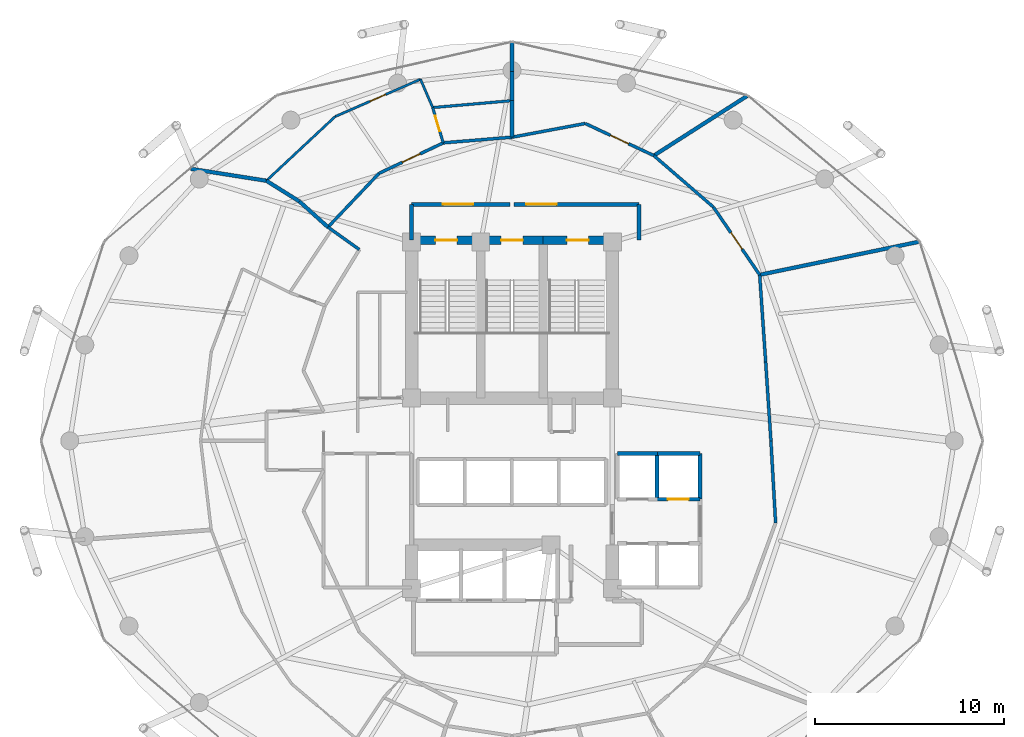
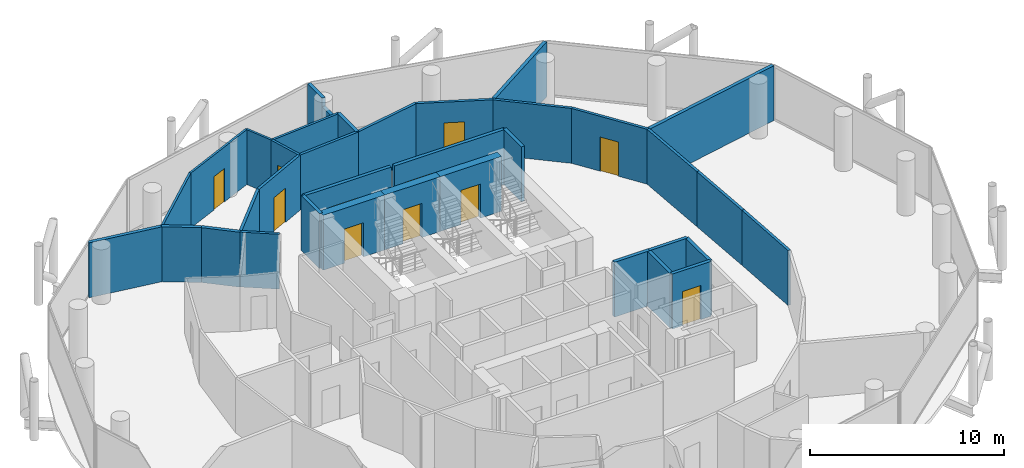
# One storey, part 24 of 26: 36 walls, 11 doors, 11 openings.
"""IFC4 building model written with IfcOpenShell, lengths in metres."""

from ifc_helpers import new_model, si_unit, direction, frame, frame_2d, origin, place, context, subcontext, project, spatial, rectangle, extrude, material, layer, layer_set, type_object, element, fill, save


model = new_model("IFC4")

# Units and contexts
model_context = context("Model", 3, precision=1e-05, world=origin(), true_north=direction((0.0, 1.0)))
body_context = subcontext(model_context, "Body", "Model", "MODEL_VIEW")
ifc_project = project(units=[si_unit("LENGTHUNIT", "METRE"), si_unit("AREAUNIT", "SQUARE_METRE"), si_unit("VOLUMEUNIT", "CUBIC_METRE"), si_unit("PLANEANGLEUNIT", "RADIAN"), si_unit("MASSUNIT", "GRAM", prefix="KILO")], contexts=[model_context])

# Site, building, storey
site_placement = place(None, origin())
site = spatial("IfcSite", under=ifc_project, at=site_placement, CompositionType="ELEMENT")
building_placement = place(site_placement, origin())
building = spatial("IfcBuilding", under=site, at=building_placement, Name="Nuhasar Tower", CompositionType="ELEMENT")
storey_placement = place(building_placement, frame((0.0, 0.0, 144.14990234375)))
storey = spatial("IfcBuildingStorey", under=building, at=storey_placement, Name="L34", CompositionType="ELEMENT", Elevation=144.14990234375)

# Wall, opening, door
ifc_material_1 = material(Name="Concrete C50/60", Category="concrete")
ifc_layer_1 = layer(ifc_material_1, 0.449951171875)
ifc_layer_set_1 = layer_set([ifc_layer_1], Name="Concrete C50/60")
wall_type_1 = type_object("IfcWallType", Name="WL-CORE-450", PredefinedType="SHEAR", material=ifc_layer_set_1)
wall_1_placement = place(storey_placement, frame((37.35009765625, 37.39990234375, 0.0), z_axis=(0.0, 0.0, 1.0), x_axis=(-1.0, 0.0, 0.0)))
wall_1 = element("IfcWall", 1, at=wall_1_placement, inside=storey, type_object=wall_type_1, Name="L34 Stairwell Shear Wall ST01-N", PredefinedType="SHEAR", context=body_context, shape_type="SweptSolid", body=[
    extrude(rectangle(XDim=3.650146484375, YDim=0.449951171875, at=frame_2d((1.8251953125, 0.0))), origin(), (0.0, 0.0, 1.0), 3.4501953125),
])
opening_1_placement = place(wall_1_placement, frame((1.25, 0.0, 0.0)))
opening_1 = element("IfcOpeningElement", 2, at=opening_1_placement, cuts=wall_1, Name="Opening DS-01", PredefinedType="OPENING", context=body_context, shape_type="SweptSolid", body=[
    extrude(rectangle(XDim=1.14990234375, YDim=2.14990234375, at=frame_2d((0.574951171875, 1.074951171875))), frame((0.0, 0.23486328125, 0.0), z_axis=(0.0, -1.0, 0.0), x_axis=(1.0, 0.0, 0.0)), (0.0, 0.0, 1.0), 0.469970703125),
])
ifc_material_2 = material(Name="Steel S355", Category="steel")
door_type_1 = type_object("IfcDoorType", Name="DR-STAIR-FD120-1150", OperationType="NOTDEFINED", PredefinedType="DOOR", material=ifc_material_2)
door_1_placement = place(opening_1_placement, origin())
door_1 = element("IfcDoor", 3, at=door_1_placement, inside=storey, type_object=door_type_1, Name="L34 Exit Stair ST-01 Door", OperationType="SINGLE_SWING_RIGHT", OverallHeight=2.14990234375, OverallWidth=1.14990234375, PredefinedType="DOOR", context=body_context, shape_type="SweptSolid", body=[
    extrude(rectangle(XDim=1.14990234375, YDim=2.14990234375, at=frame_2d((0.574951171875, 1.074951171875))), frame((0.0, 0.02490234375, 0.0), z_axis=(0.0, -1.0, 0.0), x_axis=(1.0, 0.0, 0.0)), (0.0, 0.0, 1.0), 0.050048828125),
])
fill(opening_1, door_1)

wall_2_placement = place(storey_placement, frame((40.64990234375, 37.39990234375, 0.0), z_axis=(0.0, 0.0, 1.0), x_axis=(-1.0, 0.0, 0.0)))
wall_2 = element("IfcWall", 4, at=wall_2_placement, inside=storey, type_object=wall_type_1, Name="L34 Stairwell Shear Wall ST03-N", PredefinedType="SHEAR", context=body_context, shape_type="SweptSolid", body=[
    extrude(rectangle(XDim=3.2998046875, YDim=0.449951171875, at=frame_2d((1.64990234375, 0.0))), origin(), (0.0, 0.0, 1.0), 3.4501953125),
])
opening_2_placement = place(wall_2_placement, frame((1.074951171875, 0.0, 0.0)))
opening_2 = element("IfcOpeningElement", 5, at=opening_2_placement, cuts=wall_2, Name="Opening DS-01", PredefinedType="OPENING", context=body_context, shape_type="SweptSolid", body=[
    extrude(rectangle(XDim=1.14990234375, YDim=2.14990234375, at=frame_2d((0.574951171875, 1.074951171875))), frame((0.0, 0.23486328125, 0.0), z_axis=(0.0, -1.0, 0.0), x_axis=(1.0, 0.0, 0.0)), (0.0, 0.0, 1.0), 0.469970703125),
])
door_2_placement = place(opening_2_placement, origin())
door_2 = element("IfcDoor", 6, at=door_2_placement, inside=storey, type_object=door_type_1, Name="L34 Exit Stair ST-03 Door", OperationType="SINGLE_SWING_RIGHT", OverallHeight=2.14990234375, OverallWidth=1.14990234375, PredefinedType="DOOR", context=body_context, shape_type="SweptSolid", body=[
    extrude(rectangle(XDim=1.14990234375, YDim=2.14990234375, at=frame_2d((0.574951171875, 1.074951171875))), frame((0.0, 0.02490234375, 0.0), z_axis=(0.0, -1.0, 0.0), x_axis=(1.0, 0.0, 0.0)), (0.0, 0.0, 1.0), 0.050048828125),
])
fill(opening_2, door_2)

wall_3_placement = place(storey_placement, frame((44.300048828125, 37.39990234375, 0.0), z_axis=(0.0, 0.0, 1.0), x_axis=(-1.0, 0.0, 0.0)))
wall_3 = element("IfcWall", 7, at=wall_3_placement, inside=storey, type_object=wall_type_1, Name="L34 Stairwell Shear Wall ST02-N", PredefinedType="SHEAR", context=body_context, shape_type="SweptSolid", body=[
    extrude(rectangle(XDim=3.650146484375, YDim=0.449951171875, at=frame_2d((1.8251953125, 0.0))), origin(), (0.0, 0.0, 1.0), 3.4501953125),
])
opening_3_placement = place(wall_3_placement, frame((1.25, 0.0, 0.0)))
opening_3 = element("IfcOpeningElement", 8, at=opening_3_placement, cuts=wall_3, Name="Opening DS-01", PredefinedType="OPENING", context=body_context, shape_type="SweptSolid", body=[
    extrude(rectangle(XDim=1.14990234375, YDim=2.14990234375, at=frame_2d((0.574951171875, 1.074951171875))), frame((0.0, 0.23486328125, 0.0), z_axis=(0.0, -1.0, 0.0), x_axis=(1.0, 0.0, 0.0)), (0.0, 0.0, 1.0), 0.469970703125),
])
door_3_placement = place(opening_3_placement, origin())
door_3 = element("IfcDoor", 9, at=door_3_placement, inside=storey, type_object=door_type_1, Name="L34 Exit Stair ST-02 Door", OperationType="SINGLE_SWING_LEFT", OverallHeight=2.14990234375, OverallWidth=1.14990234375, PredefinedType="DOOR", context=body_context, shape_type="SweptSolid", body=[
    extrude(rectangle(XDim=1.14990234375, YDim=2.14990234375, at=frame_2d((0.574951171875, 1.074951171875))), frame((0.0, 0.02490234375, 0.0), z_axis=(0.0, -1.0, 0.0), x_axis=(1.0, 0.0, 0.0)), (0.0, 0.0, 1.0), 0.050048828125),
])
fill(opening_3, door_3)

# Walls
ifc_material_3 = material(Name="Gypsum Board", Category="gypsum")
ifc_layer_2 = layer(ifc_material_3, 0.159912109375)
ifc_layer_set_2 = layer_set([ifc_layer_2], Name="Gypsum Board")
wall_type_2 = type_object("IfcWallType", Name="WL-CORR-160", PredefinedType="PARTITIONING", material=ifc_layer_set_2)
wall_4_placement = place(storey_placement, frame((52.91796875, 22.470947265625, 0.0), z_axis=(0.0, 0.0, 1.0), x_axis=(-0.057203717973, 0.998362526666, 0.0)))
element("IfcWall", 10, at=wall_4_placement, inside=storey, type_object=wall_type_2, Name="L34 Interior Partition CORR-46", PredefinedType="PARTITIONING", context=body_context, shape_type="SweptSolid", body=[
    extrude(rectangle(XDim=4.336181640625, YDim=0.159912109375, at=frame_2d((2.16796875, 0.0))), origin(), (0.0, 0.0, 1.0), 3.4501953125),
])
wall_5_placement = place(storey_placement, frame((52.669921875, 26.800048828125, 0.0), z_axis=(0.0, 0.0, 1.0), x_axis=(-0.066309434359, 0.997799107494, 0.0)))
element("IfcWall", 11, at=wall_5_placement, inside=storey, type_object=wall_type_2, Name="L34 Interior Partition CORR-00", PredefinedType="PARTITIONING", context=body_context, shape_type="SweptSolid", body=[
    extrude(rectangle(XDim=4.17529296875, YDim=0.159912109375, at=frame_2d((2.087646484375, 0.0))), origin(), (0.0, 0.0, 1.0), 3.4501953125),
])
wall_6_placement = place(storey_placement, frame((52.39306640625, 30.966064453125, 0.0), z_axis=(0.0, 0.0, 1.0), x_axis=(-0.068811181555, 0.997629701489, 0.0)))
element("IfcWall", 12, at=wall_6_placement, inside=storey, type_object=wall_type_2, Name="L34 Interior Partition CORR-02", PredefinedType="PARTITIONING", context=body_context, shape_type="SweptSolid", body=[
    extrude(rectangle(XDim=4.60888671875, YDim=0.159912109375, at=frame_2d((2.304443359375, 0.0))), origin(), (0.0, 0.0, 1.0), 3.4501953125),
])

# Wall, opening, door
wall_7_placement = place(storey_placement, frame((49.631103515625, 39.14306640625, 0.0), z_axis=(0.0, 0.0, 1.0), x_axis=(0.564049708202, -0.825740835055, 0.0)))
wall_7 = element("IfcWall", 13, at=wall_7_placement, inside=storey, type_object=wall_type_2, Name="L34 Interior Partition CORR-04", PredefinedType="PARTITIONING", context=body_context, shape_type="SweptSolid", body=[
    extrude(rectangle(XDim=4.33447265625, YDim=0.159912109375, at=frame_2d((2.167236328125, 0.0))), origin(), (0.0, 0.0, 1.0), 3.4501953125),
])
opening_4_placement = place(wall_7_placement, frame((1.64208984375, 0.0, 0.0)))
opening_4 = element("IfcOpeningElement", 14, at=opening_4_placement, cuts=wall_7, Name="Opening DU-01", PredefinedType="OPENING", context=body_context, shape_type="SweptSolid", body=[
    extrude(rectangle(XDim=1.050048828125, YDim=2.14990234375, at=frame_2d((0.52490234375, 1.074951171875))), frame((0.0, 0.08984375, 0.0), z_axis=(0.0, -1.0, 0.0), x_axis=(1.0, 0.0, 0.0)), (0.0, 0.0, 1.0), 0.179931640625),
])
ifc_material_4 = material(Name="Timber Oak", Category="wood")
door_type_2 = type_object("IfcDoorType", Name="DR-SUITE-FD60-1050", OperationType="NOTDEFINED", PredefinedType="DOOR", material=ifc_material_4)
door_4_placement = place(opening_4_placement, origin())
door_4 = element("IfcDoor", 15, at=door_4_placement, inside=storey, type_object=door_type_2, Name="L34 Club Buffet Kitchen Entrance Door", OperationType="SINGLE_SWING_RIGHT", OverallHeight=2.14990234375, OverallWidth=1.050048828125, PredefinedType="DOOR", context=body_context, shape_type="SweptSolid", body=[
    extrude(rectangle(XDim=1.050048828125, YDim=2.14990234375, at=frame_2d((0.52490234375, 1.074951171875))), frame((0.0, 0.02490234375, 0.0), z_axis=(0.0, -1.0, 0.0), x_axis=(1.0, 0.0, 0.0)), (0.0, 0.0, 1.0), 0.050048828125),
])
fill(opening_4, door_4)

# Wall
wall_8_placement = place(storey_placement, frame((49.631103515625, 39.14306640625, 0.0), z_axis=(0.0, 0.0, 1.0), x_axis=(-0.756415827975, 0.65409104503, 0.0)))
element("IfcWall", 16, at=wall_8_placement, inside=storey, type_object=wall_type_2, Name="L34 Interior Partition CORR-06", PredefinedType="PARTITIONING", context=body_context, shape_type="SweptSolid", body=[
    extrude(rectangle(XDim=4.15380859375, YDim=0.159912109375, at=frame_2d((2.076904296875, 0.0))), origin(), (0.0, 0.0, 1.0), 3.4501953125),
])

# Wall, opening, door
wall_9_placement = place(storey_placement, frame((42.866943359375, 43.553955078125, 0.0), z_axis=(0.0, 0.0, 1.0), x_axis=(0.905842799217, -0.423614002492, 0.0)))
wall_9 = element("IfcWall", 17, at=wall_9_placement, inside=storey, type_object=wall_type_2, Name="L34 Interior Partition CORR-08", PredefinedType="PARTITIONING", context=body_context, shape_type="SweptSolid", body=[
    extrude(rectangle(XDim=3.99853515625, YDim=0.159912109375, at=frame_2d((1.999267578125, 0.0))), origin(), (0.0, 0.0, 1.0), 3.4501953125),
])
opening_5_placement = place(wall_9_placement, frame((1.47412109375, 0.0, 0.0)))
opening_5 = element("IfcOpeningElement", 18, at=opening_5_placement, cuts=wall_9, Name="Opening DU-01", PredefinedType="OPENING", context=body_context, shape_type="SweptSolid", body=[
    extrude(rectangle(XDim=1.050048828125, YDim=2.14990234375, at=frame_2d((0.52490234375, 1.074951171875))), frame((0.0, 0.08984375, 0.0), z_axis=(0.0, -1.0, 0.0), x_axis=(1.0, 0.0, 0.0)), (0.0, 0.0, 1.0), 0.179931640625),
])
door_5_placement = place(opening_5_placement, origin())
door_5 = element("IfcDoor", 19, at=door_5_placement, inside=storey, type_object=door_type_2, Name="L34 Club Meeting Room Entrance Door", OperationType="SINGLE_SWING_RIGHT", OverallHeight=2.14990234375, OverallWidth=1.050048828125, PredefinedType="DOOR", context=body_context, shape_type="SweptSolid", body=[
    extrude(rectangle(XDim=1.050048828125, YDim=2.14990234375, at=frame_2d((0.52490234375, 1.074951171875))), frame((0.0, 0.02490234375, 0.0), z_axis=(0.0, -1.0, 0.0), x_axis=(1.0, 0.0, 0.0)), (0.0, 0.0, 1.0), 0.050048828125),
])
fill(opening_5, door_5)

# Walls
wall_10_placement = place(storey_placement, frame((42.866943359375, 43.553955078125, 0.0), z_axis=(0.0, 0.0, 1.0), x_axis=(-0.982926239859, -0.184000019015, 0.0)))
element("IfcWall", 20, at=wall_10_placement, inside=storey, type_object=wall_type_2, Name="L34 Interior Partition CORR-10", PredefinedType="PARTITIONING", context=body_context, shape_type="SweptSolid", body=[
    extrude(rectangle(XDim=3.93408203125, YDim=0.159912109375, at=frame_2d((1.967041015625, 0.0))), origin(), (0.0, 0.0, 1.0), 3.4501953125),
])
wall_11_placement = place(storey_placement, frame((39.0, 42.830078125, 0.0), z_axis=(0.0, 0.0, 1.0), x_axis=(-0.996622986435, -0.082113475813, 0.0)))
element("IfcWall", 21, at=wall_11_placement, inside=storey, type_object=wall_type_2, Name="L34 Interior Partition CORR-12", PredefinedType="PARTITIONING", context=body_context, shape_type="SweptSolid", body=[
    extrude(rectangle(XDim=3.64208984375, YDim=0.159912109375, at=frame_2d((1.821044921875, 0.0))), origin(), (0.0, 0.0, 1.0), 3.4501953125),
])

# Wall, opening, door
wall_12_placement = place(storey_placement, frame((31.97802734375, 40.919921875, 0.0), z_axis=(0.0, 0.0, 1.0), x_axis=(0.903293881329, 0.429022335029, 0.0)))
wall_12 = element("IfcWall", 22, at=wall_12_placement, inside=storey, type_object=wall_type_2, Name="L34 Interior Partition CORR-14", PredefinedType="PARTITIONING", context=body_context, shape_type="SweptSolid", body=[
    extrude(rectangle(XDim=3.755126953125, YDim=0.159912109375, at=frame_2d((1.87744140625, 0.0))), origin(), (0.0, 0.0, 1.0), 3.4501953125),
])
opening_6_placement = place(wall_12_placement, frame((1.35302734375, 0.0, 0.0)))
opening_6 = element("IfcOpeningElement", 23, at=opening_6_placement, cuts=wall_12, Name="Opening DU-01", PredefinedType="OPENING", context=body_context, shape_type="SweptSolid", body=[
    extrude(rectangle(XDim=1.050048828125, YDim=2.14990234375, at=frame_2d((0.52490234375, 1.074951171875))), frame((0.0, 0.08984375, 0.0), z_axis=(0.0, -1.0, 0.0), x_axis=(1.0, 0.0, 0.0)), (0.0, 0.0, 1.0), 0.179931640625),
])
door_6_placement = place(opening_6_placement, origin())
door_6 = element("IfcDoor", 24, at=door_6_placement, inside=storey, type_object=door_type_2, Name="L34 Marina Corner Suite 03 Entrance Door", OperationType="SINGLE_SWING_LEFT", OverallHeight=2.14990234375, OverallWidth=1.050048828125, PredefinedType="DOOR", context=body_context, shape_type="SweptSolid", body=[
    extrude(rectangle(XDim=1.050048828125, YDim=2.14990234375, at=frame_2d((0.52490234375, 1.074951171875))), frame((0.0, 0.02490234375, 0.0), z_axis=(0.0, -1.0, 0.0), x_axis=(1.0, 0.0, 0.0)), (0.0, 0.0, 1.0), 0.050048828125),
])
fill(opening_6, door_6)

# Walls
wall_13_placement = place(storey_placement, frame((31.97802734375, 40.919921875, 0.0), z_axis=(0.0, 0.0, 1.0), x_axis=(-0.688624853508, -0.725117791211, 0.0)))
element("IfcWall", 25, at=wall_13_placement, inside=storey, type_object=wall_type_2, Name="L34 Interior Partition CORR-16", PredefinedType="PARTITIONING", context=body_context, shape_type="SweptSolid", body=[
    extrude(rectangle(XDim=3.91357421875, YDim=0.159912109375, at=frame_2d((1.956787109375, 0.0))), origin(), (0.0, 0.0, 1.0), 3.4501953125),
])
wall_14_placement = place(storey_placement, frame((30.93896484375, 36.89697265625, 0.0), z_axis=(0.0, 0.0, 1.0), x_axis=(-0.813222809356, 0.581952457116, 0.0)))
element("IfcWall", 26, at=wall_14_placement, inside=storey, type_object=wall_type_2, Name="L34 Interior Partition HRAD-18-IN", PredefinedType="PARTITIONING", context=body_context, shape_type="SweptSolid", body=[
    extrude(rectangle(XDim=2.036376953125, YDim=0.159912109375, at=frame_2d((1.01806640625, 0.0))), origin(), (0.0, 0.0, 1.0), 3.4501953125),
])
ifc_material_5 = material(Name="Concrete C45/55", Category="concrete")
ifc_layer_3 = layer(ifc_material_5, 0.199951171875)
ifc_layer_set_3 = layer_set([ifc_layer_3], Name="Concrete C45/55")
wall_type_3 = type_object("IfcWallType", Name="WL-LOBBY-200", PredefinedType="SOLIDWALL", material=ifc_layer_set_3)
for number, where, z_axis, x_axis, name in (
    (27, (33.699951171875, 37.39990234375, 0.0), (0.0, 0.0, 1.0), (0.0, 1.0, 0.0), "L34 Interior Partition NSL-W"),
    (28, (45.699951171875, 37.39990234375, 0.0), (0.0, 0.0, 1.0), (0.0, 1.0, 0.0), "L34 Interior Partition NSL-E"),
):
    element("IfcWall", number, at=place(storey_placement, frame(where, z_axis=z_axis, x_axis=x_axis)), inside=storey, type_object=wall_type_3, Name=name, PredefinedType="SOLIDWALL", context=body_context, shape_type="SweptSolid", body=[
        extrude(rectangle(XDim=1.880126953125, YDim=0.199951171875, at=frame_2d((0.93994140625, 0.0))), origin(), (0.0, 0.0, 1.0), 3.4501953125),
    ])

# Wall, opening, door
wall_15_placement = place(storey_placement, frame((38.89990234375, 39.280029296875, 0.0), z_axis=(0.0, 0.0, 1.0), x_axis=(-1.0, 0.0, 0.0)))
wall_15 = element("IfcWall", 29, at=wall_15_placement, inside=storey, type_object=wall_type_3, Name="L34 Interior Partition NSL-N1", PredefinedType="SOLIDWALL", context=body_context, shape_type="SweptSolid", body=[
    extrude(rectangle(XDim=5.199951171875, YDim=0.199951171875, at=frame_2d((2.60009765625, 0.0))), origin(), (0.0, 0.0, 1.0), 3.4501953125),
])
opening_7_placement = place(wall_15_placement, frame((1.949951171875, 0.0, 0.0)))
opening_7 = element("IfcOpeningElement", 30, at=opening_7_placement, cuts=wall_15, Name="Opening DC-01", PredefinedType="OPENING", context=body_context, shape_type="SweptSolid", body=[
    extrude(rectangle(XDim=1.60009765625, YDim=2.199951171875, at=frame_2d((0.800048828125, 1.10009765625))), frame((0.0, 0.10986328125, 0.0), z_axis=(0.0, -1.0, 0.0), x_axis=(1.0, 0.0, 0.0)), (0.0, 0.0, 1.0), 0.219970703125),
])
door_type_3 = type_object("IfcDoorType", Name="DR-CORR-FD60-1600", OperationType="DOUBLE_DOOR_SINGLE_SWING", PredefinedType="DOOR", material=ifc_material_2)
door_7_placement = place(opening_7_placement, origin())
door_7 = element("IfcDoor", 31, at=door_7_placement, inside=storey, type_object=door_type_3, Name="L34 North Stair Lobby West Door", OperationType="DOUBLE_DOOR_SINGLE_SWING", OverallHeight=2.199951171875, OverallWidth=1.60009765625, PredefinedType="DOOR", context=body_context, shape_type="SweptSolid", body=[
    extrude(rectangle(XDim=1.60009765625, YDim=2.199951171875, at=frame_2d((0.800048828125, 1.10009765625))), frame((0.0, 0.02490234375, 0.0), z_axis=(0.0, -1.0, 0.0), x_axis=(1.0, 0.0, 0.0)), (0.0, 0.0, 1.0), 0.050048828125),
])
fill(opening_7, door_7)

wall_16_placement = place(storey_placement, frame((45.699951171875, 39.280029296875, 0.0), z_axis=(0.0, 0.0, 1.0), x_axis=(-1.0, 0.0, 0.0)))
wall_16 = element("IfcWall", 32, at=wall_16_placement, inside=storey, type_object=wall_type_3, Name="L34 Interior Partition NSL-N2", PredefinedType="SOLIDWALL", context=body_context, shape_type="SweptSolid", body=[
    extrude(rectangle(XDim=6.599853515625, YDim=0.199951171875, at=frame_2d((3.2998046875, 0.0))), origin(), (0.0, 0.0, 1.0), 3.4501953125),
])
opening_8_placement = place(wall_16_placement, frame((4.35009765625, 0.0, 0.0)))
opening_8 = element("IfcOpeningElement", 33, at=opening_8_placement, cuts=wall_16, Name="Opening DC-01", PredefinedType="OPENING", context=body_context, shape_type="SweptSolid", body=[
    extrude(rectangle(XDim=1.60009765625, YDim=2.199951171875, at=frame_2d((0.800048828125, 1.10009765625))), frame((0.0, 0.10986328125, 0.0), z_axis=(0.0, -1.0, 0.0), x_axis=(1.0, 0.0, 0.0)), (0.0, 0.0, 1.0), 0.219970703125),
])
door_8_placement = place(opening_8_placement, origin())
door_8 = element("IfcDoor", 34, at=door_8_placement, inside=storey, type_object=door_type_3, Name="L34 North Stair Lobby East Door", OperationType="DOUBLE_DOOR_SINGLE_SWING", OverallHeight=2.199951171875, OverallWidth=1.60009765625, PredefinedType="DOOR", context=body_context, shape_type="SweptSolid", body=[
    extrude(rectangle(XDim=1.60009765625, YDim=2.199951171875, at=frame_2d((0.800048828125, 1.10009765625))), frame((0.0, 0.02490234375, 0.0), z_axis=(0.0, -1.0, 0.0), x_axis=(1.0, 0.0, 0.0)), (0.0, 0.0, 1.0), 0.050048828125),
])
fill(opening_8, door_8)

# Wall
ifc_layer_4 = layer(ifc_material_3, 0.125)
ifc_layer_set_4 = layer_set([ifc_layer_4], Name="Gypsum Board")
wall_type_4 = type_object("IfcWallType", Name="WL-PART-125", PredefinedType="PARTITIONING", material=ifc_layer_set_4)
wall_17_placement = place(storey_placement, frame((34.81298828125, 44.39404296875, 0.0), z_axis=(0.0, 0.0, 1.0), x_axis=(-0.395456593767, 0.918484666419, 0.0)))
element("IfcWall", 35, at=wall_17_placement, inside=storey, type_object=wall_type_4, Name="L34 Interior Partition HBS-06", PredefinedType="PARTITIONING", context=body_context, shape_type="SweptSolid", body=[
    extrude(rectangle(XDim=1.628662109375, YDim=0.125, at=frame_2d((0.814453125, 0.0))), origin(), (0.0, 0.0, 1.0), 3.4501953125),
])

# Wall, opening, door
wall_18_placement = place(storey_placement, frame((29.6650390625, 43.9208984375, 0.0), z_axis=(0.0, 0.0, 1.0), x_axis=(0.916266732184, 0.400568690105, 0.0)))
wall_18 = element("IfcWall", 36, at=wall_18_placement, inside=storey, type_object=wall_type_4, Name="L34 Interior Partition HSAL-06-14", PredefinedType="PARTITIONING", context=body_context, shape_type="SweptSolid", body=[
    extrude(rectangle(XDim=4.91552734375, YDim=0.125, at=frame_2d((2.457763671875, 0.0))), origin(), (0.0, 0.0, 1.0), 3.4501953125),
])
opening_9_placement = place(wall_18_placement, frame((2.008056640625, 0.0, 0.0)))
opening_9 = element("IfcOpeningElement", 37, at=opening_9_placement, cuts=wall_18, Name="Opening DR-01", PredefinedType="OPENING", context=body_context, shape_type="SweptSolid", body=[
    extrude(rectangle(XDim=0.89990234375, YDim=2.10009765625, at=frame_2d((0.449951171875, 1.050048828125))), frame((0.0, 0.072509765625, 0.0), z_axis=(0.0, -1.0, 0.0), x_axis=(1.0, 0.0, 0.0)), (0.0, 0.0, 1.0), 0.14501953125),
])
door_type_4 = type_object("IfcDoorType", Name="DR-ROOM-900", OperationType="NOTDEFINED", PredefinedType="DOOR", material=ifc_material_4)
door_9_placement = place(opening_9_placement, origin())
door_9 = element("IfcDoor", 38, at=door_9_placement, inside=storey, type_object=door_type_4, Name="L34 Marina Corner Suite 03 Bedroom Door", OperationType="SINGLE_SWING_LEFT", OverallHeight=2.10009765625, OverallWidth=0.89990234375, PredefinedType="DOOR", context=body_context, shape_type="SweptSolid", body=[
    extrude(rectangle(XDim=0.89990234375, YDim=2.10009765625, at=frame_2d((0.449951171875, 1.050048828125))), frame((0.0, 0.02490234375, 0.0), z_axis=(0.0, -1.0, 0.0), x_axis=(1.0, 0.0, 0.0)), (0.0, 0.0, 1.0), 0.050048828125),
])
fill(opening_9, door_9)

# Walls
wall_19_placement = place(storey_placement, frame((29.6650390625, 43.9208984375, 0.0), z_axis=(0.0, 0.0, 1.0), x_axis=(-0.731151660119, -0.682214958723, 0.0)))
element("IfcWall", 39, at=wall_19_placement, inside=storey, type_object=wall_type_4, Name="L34 Interior Partition HSAL-06-16", PredefinedType="PARTITIONING", context=body_context, shape_type="SweptSolid", body=[
    extrude(rectangle(XDim=4.968994140625, YDim=0.125, at=frame_2d((2.484375, 0.0))), origin(), (0.0, 0.0, 1.0), 3.4501953125),
])
ifc_layer_5 = layer(ifc_material_5, 0.199951171875)
ifc_layer_set_5 = layer_set([ifc_layer_5], Name="Concrete C45/55")
wall_type_5 = type_object("IfcWallType", Name="WL-SHAFT-200", PredefinedType="SOLIDWALL", material=ifc_layer_set_5)
wall_20_placement = place(storey_placement, frame((44.570068359375, 26.1298828125, 0.0), z_axis=(0.0, 0.0, 1.0), x_axis=(1.0, 0.0, 0.0)))
element("IfcWall", 40, at=wall_20_placement, inside=storey, type_object=wall_type_5, Name="L34 Interior Partition SHF-PL-M01-N", PredefinedType="SOLIDWALL", context=body_context, shape_type="SweptSolid", body=[
    extrude(rectangle(XDim=2.10986328125, YDim=0.199951171875, at=frame_2d((1.054931640625, 0.0))), origin(), (0.0, 0.0, 1.0), 3.4501953125),
])
wall_21_placement = place(storey_placement, frame((46.64990234375, 23.719970703125, 0.0), z_axis=(0.0, 0.0, 1.0), x_axis=(0.0, 1.0, 0.0)))
element("IfcWall", 41, at=wall_21_placement, inside=storey, type_object=wall_type_5, Name="L34 Interior Partition SHF-PL-M01-E", PredefinedType="SOLIDWALL", context=body_context, shape_type="SweptSolid", body=[
    extrude(rectangle(XDim=2.409912109375, YDim=0.199951171875, at=frame_2d((1.205078125, 0.0))), origin(), (0.0, 0.0, 1.0), 3.4501953125),
])

# Wall, opening, door
wall_22_placement = place(storey_placement, frame((46.6201171875, 23.719970703125, 0.0), z_axis=(0.0, 0.0, 1.0), x_axis=(1.0, 0.0, 0.0)))
wall_22 = element("IfcWall", 42, at=wall_22_placement, inside=storey, type_object=wall_type_5, Name="L34 Interior Partition SHF-PL-M02-S", PredefinedType="SOLIDWALL", context=body_context, shape_type="SweptSolid", body=[
    extrude(rectangle(XDim=2.309814453125, YDim=0.199951171875, at=frame_2d((1.15478515625, 0.0))), origin(), (0.0, 0.0, 1.0), 3.4501953125),
])
opening_10_placement = place(wall_22_placement, frame((0.60498046875, 0.0, 0.0)))
opening_10 = element("IfcOpeningElement", 43, at=opening_10_placement, cuts=wall_22, Name="Opening LD-M02", PredefinedType="OPENING", context=body_context, shape_type="SweptSolid", body=[
    extrude(rectangle(XDim=1.10009765625, YDim=2.14990234375, at=frame_2d((0.550048828125, 1.074951171875))), frame((0.0, 0.10986328125, 0.0), z_axis=(0.0, -1.0, 0.0), x_axis=(1.0, 0.0, 0.0)), (0.0, 0.0, 1.0), 0.219970703125),
])
ifc_material_6 = material(Name="Stainless Steel 316L", Category="steel")
door_type_5 = type_object("IfcDoorType", Name="LD-PAX-1100", OperationType="DOUBLE_DOOR_SLIDING", PredefinedType="DOOR", material=ifc_material_6)
door_10_placement = place(opening_10_placement, origin())
door_10 = element("IfcDoor", 44, at=door_10_placement, inside=storey, type_object=door_type_5, Name="L34 Lift Landing Door PL-M02", OperationType="DOUBLE_DOOR_SLIDING", OverallHeight=2.14990234375, OverallWidth=1.10009765625, PredefinedType="DOOR", context=body_context, shape_type="SweptSolid", body=[
    extrude(rectangle(XDim=1.10009765625, YDim=2.14990234375, at=frame_2d((0.550048828125, 1.074951171875))), frame((0.0, 0.02490234375, 0.0), z_axis=(0.0, -1.0, 0.0), x_axis=(1.0, 0.0, 0.0)), (0.0, 0.0, 1.0), 0.050048828125),
])
fill(opening_10, door_10)

# Walls
wall_23_placement = place(storey_placement, frame((46.6201171875, 26.1298828125, 0.0), z_axis=(0.0, 0.0, 1.0), x_axis=(1.0, 0.0, 0.0)))
element("IfcWall", 45, at=wall_23_placement, inside=storey, type_object=wall_type_5, Name="L34 Interior Partition SHF-PL-M02-N", PredefinedType="SOLIDWALL", context=body_context, shape_type="SweptSolid", body=[
    extrude(rectangle(XDim=2.309814453125, YDim=0.199951171875, at=frame_2d((1.15478515625, 0.0))), origin(), (0.0, 0.0, 1.0), 3.4501953125),
])
wall_24_placement = place(storey_placement, frame((48.929931640625, 23.719970703125, 0.0), z_axis=(0.0, 0.0, 1.0), x_axis=(0.0, 1.0, 0.0)))
element("IfcWall", 46, at=wall_24_placement, inside=storey, type_object=wall_type_5, Name="L34 Interior Partition SHF-PL-M02-E", PredefinedType="SOLIDWALL", context=body_context, shape_type="SweptSolid", body=[
    extrude(rectangle(XDim=2.409912109375, YDim=0.199951171875, at=frame_2d((1.205078125, 0.0))), origin(), (0.0, 0.0, 1.0), 3.4501953125),
])
ifc_material_7 = material(Name="Concrete C40/50 precast", Category="concrete")
ifc_layer_6 = layer(ifc_material_7, 0.199951171875)
ifc_layer_set_6 = layer_set([ifc_layer_6], Name="Concrete C40/50 precast")
wall_type_6 = type_object("IfcWallType", Name="WL-UNIT-200", PredefinedType="PARTITIONING", material=ifc_layer_set_6)
wall_25_placement = place(storey_placement, frame((29.282958984375, 38.08203125, 0.0), z_axis=(0.0, 0.0, 1.0), x_axis=(-0.743001572908, 0.669289670215, 0.0)))
element("IfcWall", 47, at=wall_25_placement, inside=storey, type_object=wall_type_6, Name="L34 Interior Partition HRAD-18-OUT-S1", PredefinedType="PARTITIONING", context=body_context, shape_type="SweptSolid", body=[
    extrude(rectangle(XDim=2.03369140625, YDim=0.199951171875, at=frame_2d((1.016845703125, 0.0))), origin(), (0.0, 0.0, 1.0), 3.4501953125),
])
wall_26_placement = place(storey_placement, frame((27.77197265625, 39.443115234375, 0.0), z_axis=(0.0, 0.0, 1.0), x_axis=(-0.847911403155, 0.530137956007, 0.0)))
element("IfcWall", 48, at=wall_26_placement, inside=storey, type_object=wall_type_6, Name="L34 Interior Partition HRAD-18-OUT-S2", PredefinedType="PARTITIONING", context=body_context, shape_type="SweptSolid", body=[
    extrude(rectangle(XDim=2.052001953125, YDim=0.199951171875, at=frame_2d((1.02587890625, 0.0))), origin(), (0.0, 0.0, 1.0), 3.4501953125),
])
wall_27_placement = place(storey_placement, frame((26.031982421875, 40.531005859375, 0.0), z_axis=(0.0, 0.0, 1.0), x_axis=(-0.987792855768, 0.155773149462, 0.0)))
element("IfcWall", 49, at=wall_27_placement, inside=storey, type_object=wall_type_6, Name="L34 Interior Partition HRAD-18-OUT-S3", PredefinedType="PARTITIONING", context=body_context, shape_type="SweptSolid", body=[
    extrude(rectangle(XDim=4.037353515625, YDim=0.199951171875, at=frame_2d((2.0185546875, 0.0))), origin(), (0.0, 0.0, 1.0), 3.4501953125),
])
wall_28_placement = place(storey_placement, frame((52.075927734375, 35.56396484375, 0.0), z_axis=(0.0, 0.0, 1.0), x_axis=(0.979137140262, 0.203200542717, 0.0)))
element("IfcWall", 50, at=wall_28_placement, inside=storey, type_object=wall_type_6, Name="L34 Interior Partition HRAD-04", PredefinedType="PARTITIONING", context=body_context, shape_type="SweptSolid", body=[
    extrude(rectangle(XDim=8.6025390625, YDim=0.199951171875, at=frame_2d((4.30126953125, 0.0))), origin(), (0.0, 0.0, 1.0), 3.4501953125),
])
wall_29_placement = place(storey_placement, frame((46.489013671875, 41.860107421875, 0.0), z_axis=(0.0, 0.0, 1.0), x_axis=(0.842539863608, 0.538633992829, 0.0)))
element("IfcWall", 51, at=wall_29_placement, inside=storey, type_object=wall_type_6, Name="L34 Interior Partition HRAD-08", PredefinedType="PARTITIONING", context=body_context, shape_type="SweptSolid", body=[
    extrude(rectangle(XDim=5.84423828125, YDim=0.199951171875, at=frame_2d((2.922119140625, 0.0))), origin(), (0.0, 0.0, 1.0), 3.4501953125),
])
wall_30_placement = place(storey_placement, frame((39.0, 42.830078125, 0.0), z_axis=(0.0, 0.0, 1.0), x_axis=(0.0, 1.0, 0.0)))
element("IfcWall", 52, at=wall_30_placement, inside=storey, type_object=wall_type_6, Name="L34 Interior Partition HRAD-12-S1", PredefinedType="PARTITIONING", context=body_context, shape_type="SweptSolid", body=[
    extrude(rectangle(XDim=1.929931640625, YDim=0.199951171875, at=frame_2d((0.96484375, 0.0))), origin(), (0.0, 0.0, 1.0), 3.4501953125),
])
wall_31_placement = place(storey_placement, frame((39.0, 44.760009765625, 0.0), z_axis=(0.0, 0.0, 1.0), x_axis=(0.0, 1.0, 0.0)))
element("IfcWall", 53, at=wall_31_placement, inside=storey, type_object=wall_type_6, Name="L34 Interior Partition HRAD-12-S2", PredefinedType="PARTITIONING", context=body_context, shape_type="SweptSolid", body=[
    extrude(rectangle(XDim=1.550048828125, YDim=0.199951171875, at=frame_2d((0.77490234375, 0.0))), origin(), (0.0, 0.0, 1.0), 2.9150390625),
])
wall_32_placement = place(storey_placement, frame((39.0, 46.31005859375, 0.0), z_axis=(0.0, 0.0, 1.0), x_axis=(0.0, 1.0, 0.0)))
element("IfcWall", 54, at=wall_32_placement, inside=storey, type_object=wall_type_6, Name="L34 Interior Partition HRAD-12-S3", PredefinedType="PARTITIONING", context=body_context, shape_type="SweptSolid", body=[
    extrude(rectangle(XDim=1.514892578125, YDim=0.199951171875, at=frame_2d((0.75732421875, 0.0))), origin(), (0.0, 0.0, 1.0), 3.4501953125),
])

# Wall, opening, door
ifc_layer_7 = layer(ifc_material_7, 0.139892578125)
ifc_layer_set_7 = layer_set([ifc_layer_7], Name="Concrete C40/50 precast")
wall_type_7 = type_object("IfcWallType", Name="WL-WET-140", PredefinedType="PARTITIONING", material=ifc_layer_set_7)
wall_33_placement = place(storey_placement, frame((35.3701171875, 42.531005859375, 0.0), z_axis=(0.0, 0.0, 1.0), x_axis=(-0.286506930023, 0.958078169592, 0.0)))
wall_33 = element("IfcWall", 55, at=wall_33_placement, inside=storey, type_object=wall_type_7, Name="L34 Interior Partition HBW-06", PredefinedType="PARTITIONING", context=body_context, shape_type="SweptSolid", body=[
    extrude(rectangle(XDim=1.944580078125, YDim=0.139892578125, at=frame_2d((0.97216796875, 0.0))), origin(), (0.0, 0.0, 1.0), 3.4501953125),
])
opening_11_placement = place(wall_33_placement, frame((0.64404296875, 0.0, 0.0)))
opening_11 = element("IfcOpeningElement", 56, at=opening_11_placement, cuts=wall_33, Name="Opening DB-01", PredefinedType="OPENING", context=body_context, shape_type="SweptSolid", body=[
    extrude(rectangle(XDim=0.85009765625, YDim=2.10009765625, at=frame_2d((0.425048828125, 1.050048828125))), frame((0.0, 0.080078125, 0.0), z_axis=(0.0, -1.0, 0.0), x_axis=(1.0, 0.0, 0.0)), (0.0, 0.0, 1.0), 0.159912109375),
])
door_type_6 = type_object("IfcDoorType", Name="DR-BATH-850", OperationType="NOTDEFINED", PredefinedType="DOOR", material=ifc_material_4)
door_11_placement = place(opening_11_placement, origin())
door_11 = element("IfcDoor", 57, at=door_11_placement, inside=storey, type_object=door_type_6, Name="L34 Marina Corner Suite 03 En-Suite Door", OperationType="SINGLE_SWING_RIGHT", OverallHeight=2.10009765625, OverallWidth=0.85009765625, PredefinedType="DOOR", context=body_context, shape_type="SweptSolid", body=[
    extrude(rectangle(XDim=0.85009765625, YDim=2.10009765625, at=frame_2d((0.425048828125, 1.050048828125))), frame((0.0, 0.02490234375, 0.0), z_axis=(0.0, -1.0, 0.0), x_axis=(1.0, 0.0, 0.0)), (0.0, 0.0, 1.0), 0.050048828125),
])
fill(opening_11, door_11)

# Wall
wall_34_placement = place(storey_placement, frame((39.0, 44.760009765625, 0.0), z_axis=(0.0, 0.0, 1.0), x_axis=(-0.996201909664, -0.087073274786, 0.0)))
element("IfcWall", 58, at=wall_34_placement, inside=storey, type_object=wall_type_7, Name="L34 Interior Partition HBF-06-12", PredefinedType="PARTITIONING", context=body_context, shape_type="SweptSolid", body=[
    extrude(rectangle(XDim=4.202880859375, YDim=0.139892578125, at=frame_2d((2.1015625, 0.0))), origin(), (0.0, 0.0, 1.0), 3.4501953125),
])

save(model, "model.ifc")
